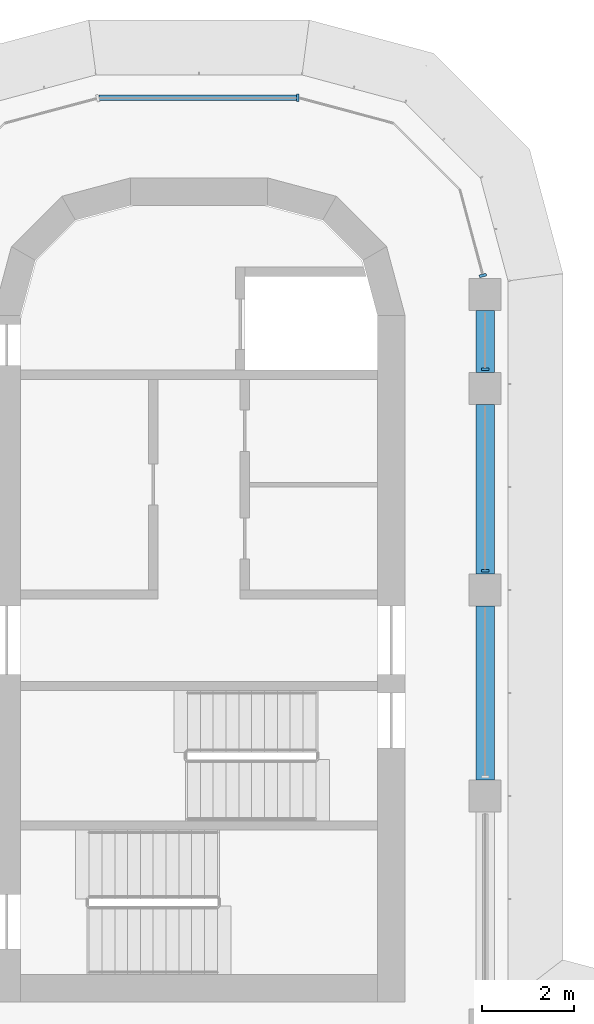
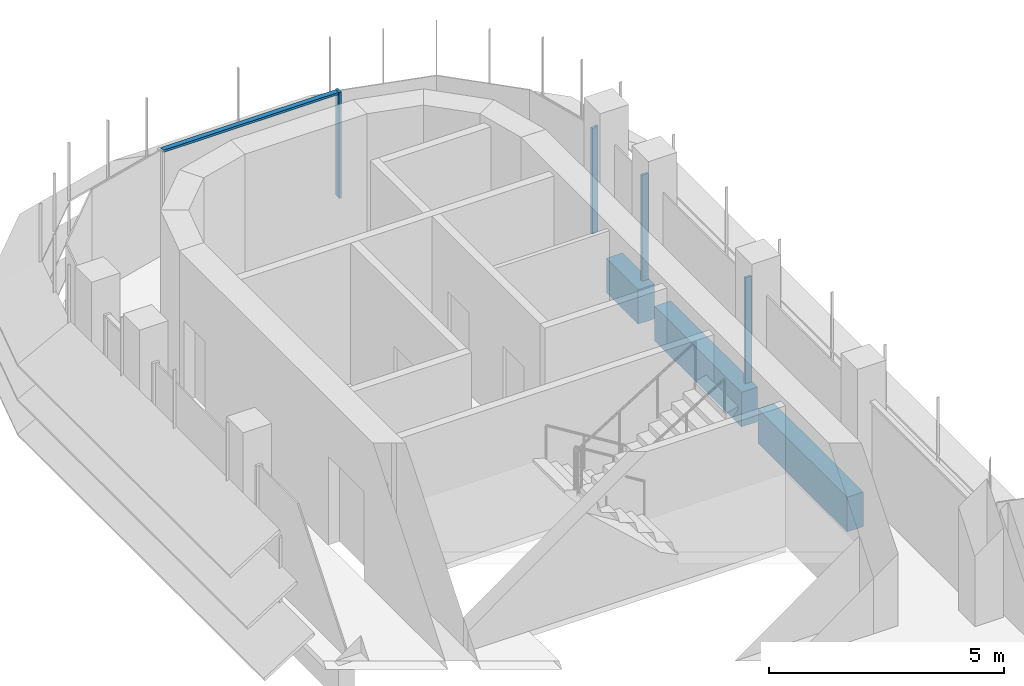
# One storey, part 10 of 18: 5 members, 3 beams, 3 elements without a shape of their own.
"""IFC4 building model written with IfcOpenShell, lengths in metres."""

import ifcopenshell
import ifcopenshell.guid

model = None  # the IFC model being written
_history = None  # IfcOwnerHistory: only IFC2X3 demands one
_inside = {}  # id of a spatial element -> (the spatial element, [elements in it])
_under = {}  # id of a project, library or spatial element -> (it, [spatial elements below it])
_declared = {}  # id of a project -> (the project, [libraries it declares])
_typed = {}  # id of a type object -> (the type object, [elements of that type])
_made_of = {}  # id of a material, layer set ... -> (it, [elements and type objects made of it])


def new_model(schema):
    """Start an empty IFC model of exactly this schema.

    Asked for "IFC4X3", IfcOpenShell would pick the latest addendum, in which some entities
    have other attributes; the version numbers below select the first issue.
    IFC2X3 requires an IfcOwnerHistory on every rooted entity: one is made here for all.
    """
    global model, _history
    if schema == "IFC4X3":
        model = ifcopenshell.file(schema_version=(4, 3, 0, 0))
    else:
        model = ifcopenshell.file(schema=schema)
    _inside.clear()
    _under.clear()
    _declared.clear()
    _typed.clear()
    _made_of.clear()
    _history = None
    if model.schema == "IFC2X3":
        org = make("IfcOrganization", Name="unknown")
        user = make(
            "IfcPersonAndOrganization",
            ThePerson=make("IfcPerson", FamilyName="unknown"),
            TheOrganization=org,
        )
        app = make(
            "IfcApplication",
            ApplicationDeveloper=org,
            Version="unknown",
            ApplicationFullName="unknown",
            ApplicationIdentifier="unknown",
        )
        _history = make(
            "IfcOwnerHistory",
            OwningUser=user,
            OwningApplication=app,
            ChangeAction="ADDED",
            CreationDate=0,
        )
    return model


def make(cls, **values):
    """One entity of the class cls with the attributes given. An attribute that is None is left unset."""
    return model.create_entity(
        cls, **{name: value for name, value in values.items() if value is not None}
    )


def rooted(cls, **values):
    """An entity with a GlobalId (a new one), such as an element, a storey or a relation."""
    return make(cls, GlobalId=ifcopenshell.guid.new(), OwnerHistory=_history, **values)


def si_unit(unit_type, name, prefix=None):
    """IfcSIUnit, for example si_unit("LENGTHUNIT", "METRE", prefix="MILLI")."""
    return make("IfcSIUnit", UnitType=unit_type, Prefix=prefix, Name=name)


def assignment(units):
    """IfcUnitAssignment: the units of a project."""
    return None if units is None else make("IfcUnitAssignment", Units=units)


def point(xyz):
    """IfcCartesianPoint."""
    return None if xyz is None else make("IfcCartesianPoint", Coordinates=xyz)


def direction(xyz):
    """IfcDirection."""
    return None if xyz is None else make("IfcDirection", DirectionRatios=xyz)


def frame(location, z_axis=None, x_axis=None):
    """IfcAxis2Placement3D, a coordinate frame: its origin and axes. An axis left out is left unset."""
    return make(
        "IfcAxis2Placement3D",
        Location=point(location),
        Axis=direction(z_axis),
        RefDirection=direction(x_axis),
    )


def frame_2d(location, x_axis=None):
    """IfcAxis2Placement2D, a coordinate frame in the plane: its origin and x axis."""
    return make(
        "IfcAxis2Placement2D", Location=point(location), RefDirection=direction(x_axis)
    )


def origin():
    """The frame at (0, 0, 0) with its axes left unset."""
    return frame((0.0, 0.0, 0.0))


def origin_2d():
    """The frame at (0, 0) in the plane with its x axis left unset."""
    return frame_2d((0.0, 0.0))


def place(relative_to, where):
    """IfcLocalPlacement: puts the frame where relative to a parent placement (None: the world)."""
    return make(
        "IfcLocalPlacement", PlacementRelTo=relative_to, RelativePlacement=where
    )


def context(
    kind, dimensions, precision=None, world=None, true_north=None, identifier=None
):
    """IfcGeometricRepresentationContext, for example the 3D "Model" context."""
    return make(
        "IfcGeometricRepresentationContext",
        ContextIdentifier=identifier,
        ContextType=kind,
        CoordinateSpaceDimension=dimensions,
        Precision=precision,
        WorldCoordinateSystem=world,
        TrueNorth=true_north,
    )


def subcontext(parent, identifier, kind, view, scale=None):
    """IfcGeometricRepresentationSubContext, for example "Body" below "Model"."""
    return make(
        "IfcGeometricRepresentationSubContext",
        ContextIdentifier=identifier,
        ContextType=kind,
        ParentContext=parent,
        TargetScale=scale,
        TargetView=view,
    )


def project(units=None, contexts=None):
    """IfcProject with its units and contexts."""
    return rooted(
        "IfcProject",
        Name="project",
        RepresentationContexts=contexts,
        UnitsInContext=assignment(units),
    )


def spatial(cls, under=None, at=None, **own):
    """A site, building, storey or space (cls), placed at a placement, below another one or the project."""
    s = rooted(cls, ObjectPlacement=at, **own)
    if under is not None:
        _under.setdefault(under.id(), (under, []))[1].append(s)
    return s


def polyline(points):
    """IfcPolyline through the points."""
    return make("IfcPolyline", Points=[point(p) for p in points])


def profile(cls, at=None, kind="AREA", **sizes):
    """A parametric profile (cls). Its sizes go by their IFC names, for example OverallWidth=200.0."""
    return make(cls, ProfileType=kind, Position=at, **sizes)


def rectangle(**sizes):
    """IfcRectangleProfileDef."""
    return profile("IfcRectangleProfileDef", **sizes)


def outline(outer, holes=None, kind="AREA"):
    """IfcArbitraryClosedProfileDef: a profile drawn as a closed curve; with holes, ...WithVoids."""
    if holes is None:
        return make("IfcArbitraryClosedProfileDef", ProfileType=kind, OuterCurve=outer)
    return make(
        "IfcArbitraryProfileDefWithVoids",
        ProfileType=kind,
        OuterCurve=outer,
        InnerCurves=holes,
    )


def extrude(swept, where, along, depth):
    """IfcExtrudedAreaSolid: the profile swept, set in the frame where, extruded along a direction by depth."""
    return make(
        "IfcExtrudedAreaSolid",
        SweptArea=swept,
        Position=where,
        ExtrudedDirection=direction(along),
        Depth=depth,
    )


def shape(context_of_items, identifier, shape_type, items):
    """IfcShapeRepresentation: the items that make up one representation, for example the "Body"."""
    return make(
        "IfcShapeRepresentation",
        ContextOfItems=context_of_items,
        RepresentationIdentifier=identifier,
        RepresentationType=shape_type,
        Items=items,
    )


def source(mapping_origin, context_of_items, identifier, shape_type, items):
    """IfcRepresentationMap: a shape defined once, which mapped items show again and again."""
    return make(
        "IfcRepresentationMap",
        MappingOrigin=mapping_origin,
        MappedRepresentation=shape(context_of_items, identifier, shape_type, items),
    )


def transform(
    local_origin,
    x_axis=None,
    y_axis=None,
    z_axis=None,
    scale=None,
    scale2=None,
    scale3=None,
    uniform=True,
):
    """IfcCartesianTransformationOperator3D, or its non-uniform kind. x_axis, y_axis, z_axis: its Axis1, 2, 3."""
    if uniform:
        return make(
            "IfcCartesianTransformationOperator3D",
            Axis1=direction(x_axis),
            Axis2=direction(y_axis),
            LocalOrigin=point(local_origin),
            Scale=scale,
            Axis3=direction(z_axis),
        )
    return make(
        "IfcCartesianTransformationOperator3DnonUniform",
        Axis1=direction(x_axis),
        Axis2=direction(y_axis),
        LocalOrigin=point(local_origin),
        Scale=scale,
        Axis3=direction(z_axis),
        Scale2=scale2,
        Scale3=scale3,
    )


def mapped(mapping_source, mapping_target):
    """IfcMappedItem: shows the shape of a source again, moved by a transform."""
    return make(
        "IfcMappedItem", MappingSource=mapping_source, MappingTarget=mapping_target
    )


def material(Name=None, Category=None):
    """IfcMaterial."""
    return make("IfcMaterial", Name=Name, Category=Category)


def material_profile(
    of_material, cross_section, Name=None, Category=None, Priority=None
):
    """IfcMaterialProfile: a cross section and its material."""
    return make(
        "IfcMaterialProfile",
        Name=Name,
        Material=of_material,
        Profile=cross_section,
        Priority=Priority,
        Category=Category,
    )


def profile_set(profiles, Name=None, composite=None):
    """IfcMaterialProfileSet."""
    return make(
        "IfcMaterialProfileSet",
        Name=Name,
        MaterialProfiles=profiles,
        CompositeProfile=composite,
    )


def made_of(thing, what):
    """Note that an element or type object is made of a material, layer set ...; save() writes the relation."""
    if what is not None:
        _made_of.setdefault(what.id(), (what, []))[1].append(thing)
    return thing


def type_object(cls, material=None, **own):
    """A type object (cls), such as IfcWallType, which elements share."""
    return made_of(rooted(cls, **own), material)


def element(
    cls,
    number,
    at=None,
    inside=None,
    cuts=None,
    type_object=None,
    material=None,
    context=None,
    identifier="Body",
    shape_type=None,
    held_by="IfcProductDefinitionShape",
    body=None,
    shapes=None,
    **own,
):
    """One element of the class cls, such as IfcWall. Its Tag is "e" and its number.

    at: its placement. inside: the storey or other place that contains it. cuts: it is an
    opening in that element (IfcRelVoidsElement). A single representation is given by context,
    identifier, shape_type and body (its items); several are given by shapes. held_by: the class
    of the entity that holds the representations. save() writes the other relations.
    """
    e = rooted(cls, Tag="e%d" % number, ObjectPlacement=at, **own)
    if body is not None:
        shapes = [shape(context, identifier, shape_type, body)]
    if shapes is not None:
        e.Representation = make(held_by, Representations=shapes)
    if inside is not None:
        _inside.setdefault(inside.id(), (inside, []))[1].append(e)
    if cuts is not None:
        rooted(
            "IfcRelVoidsElement", RelatingBuildingElement=cuts, RelatedOpeningElement=e
        )
    if type_object is not None:
        _typed.setdefault(type_object.id(), (type_object, []))[1].append(e)
    return made_of(e, material)


def aggregate(whole, parts):
    """IfcRelAggregates: a whole, such as a stair, and the parts it consists of."""
    return rooted("IfcRelAggregates", RelatingObject=whole, RelatedObjects=parts)


def save(model, path):
    """Write the relations noted so far, then the file.

    IfcRelAggregates (storeys below a building ...), IfcRelContainedInSpatialStructure (elements
    in a storey), IfcRelDefinesByType, IfcRelAssociatesMaterial and IfcRelDeclares: one each for
    every whole, place, type object, material and project.
    """
    for whole, parts in _under.values():
        aggregate(whole, parts)
    for where, things in _inside.values():
        rooted(
            "IfcRelContainedInSpatialStructure",
            RelatedElements=things,
            RelatingStructure=where,
        )
    for kind, things in _typed.values():
        rooted("IfcRelDefinesByType", RelatedObjects=things, RelatingType=kind)
    for what, things in _made_of.values():
        rooted("IfcRelAssociatesMaterial", RelatedObjects=things, RelatingMaterial=what)
    for by, libraries in _declared.values():
        rooted("IfcRelDeclares", RelatingContext=by, RelatedDefinitions=libraries)
    model.write(path)


model = new_model("IFC4")

# Units and contexts
model_context = context("Model", 3, precision=1e-05, world=origin(), true_north=direction((0.0, 1.0)))
body_context = subcontext(model_context, "Body", "Model", "MODEL_VIEW")
ifc_project = project(units=[si_unit("LENGTHUNIT", "METRE"), si_unit("AREAUNIT", "SQUARE_METRE"), si_unit("VOLUMEUNIT", "CUBIC_METRE"), si_unit("PLANEANGLEUNIT", "RADIAN"), si_unit("MASSUNIT", "GRAM", prefix="KILO")], contexts=[model_context])

# Site, building, storey
site_placement = place(None, origin())
site = spatial("IfcSite", under=ifc_project, at=site_placement, CompositionType="ELEMENT")
building_placement = place(site_placement, origin())
building = spatial("IfcBuilding", under=site, at=building_placement, Name="Zarbagh Exchange Tower", CompositionType="ELEMENT")
storey_placement = place(building_placement, frame((0.0, 0.0, 206.800048828125)))
storey = spatial("IfcBuildingStorey", under=building, at=storey_placement, Name="L50", CompositionType="ELEMENT", Elevation=206.800048828125)

# Beams
ifc_material_1 = material(Name="Concrete C50/60", Category="concrete")
ifc_material_profile = material_profile(ifc_material_1, rectangle(XDim=0.39990234375, YDim=0.89990234375, at=origin_2d()), Name="RC spandrel beam 400 x 900 C50/60")
ifc_profile_set = profile_set([ifc_material_profile], Name="Concrete C50/60")
beam_type = type_object("IfcBeamType", Name="RC spandrel beam 400 x 900 C50/60", PredefinedType="SPANDREL", material=ifc_profile_set)
beam_1_placement = place(storey_placement, frame((6.25, 26.35009765625, -0.60009765625), z_axis=(0.0, -1.0, 0.0), x_axis=(1.0, 0.0, 0.0)))
element("IfcBeam", 1, at=beam_1_placement, inside=storey, type_object=beam_type, Name="RC spandrel beam", PredefinedType="SPANDREL", context=body_context, shape_type="SweptSolid", body=[
    extrude(rectangle(XDim=0.39990234375, YDim=0.89990234375, at=origin_2d()), origin(), (0.0, 0.0, 1.0), 1.35009765625),
])
beam_2_placement = place(storey_placement, frame((6.25, 24.300048828125, -0.60009765625), z_axis=(0.0, -1.0, 0.0), x_axis=(1.0, 0.0, 0.0)))
element("IfcBeam", 2, at=beam_2_placement, inside=storey, type_object=beam_type, Name="RC spandrel beam", PredefinedType="SPANDREL", context=body_context, shape_type="SweptSolid", body=[
    extrude(rectangle(XDim=0.39990234375, YDim=0.89990234375, at=origin_2d()), origin(), (0.0, 0.0, 1.0), 3.699951171875),
])
beam_3_placement = place(storey_placement, frame((6.25, 19.89990234375, -0.60009765625), z_axis=(0.0, -1.0, 0.0), x_axis=(1.0, 0.0, 0.0)))
element("IfcBeam", 3, at=beam_3_placement, inside=storey, type_object=beam_type, Name="RC spandrel beam", PredefinedType="SPANDREL", context=body_context, shape_type="SweptSolid", body=[
    extrude(rectangle(XDim=0.39990234375, YDim=0.89990234375, at=origin_2d()), origin(), (0.0, 0.0, 1.0), 3.7998046875),
])

# Curtain wall, members
ifc_material_2 = material(Name="Anodised aluminium frame and glazing", Category="aluminium")
curtain_wall_type = type_object("IfcCurtainWallType", Name="CWB Ribbon glazing, upper zones", PredefinedType="NOTDEFINED", material=ifc_material_2)
curtain_wall_1_placement = place(storey_placement, origin())
curtain_wall_1 = element("IfcCurtainWall", 4, at=curtain_wall_1_placement, inside=storey, type_object=curtain_wall_type, Name="CWB20 curtain wall", PredefinedType="NOTDEFINED")
ifc_material_3 = material(Name="Anodised aluminium frame", Category="aluminium")
member_type_1 = type_object("IfcMemberType", Name="MUB Mullion, anodised aluminium frame", PredefinedType="MULLION", material=ifc_material_3)
shared_shape_1 = source(origin(), body_context, "Body", "SweptSolid", [
    extrude(outline(polyline([(0.0, -0.080078125), (0.06005859375, -0.080078125), (0.06005859375, 0.080078125), (0.0, 0.080078125), (0.0, -0.080078125)])), origin(), (0.0, 0.0, 1.0), 2.75),
])
placement = place(storey_placement, origin())
member_1 = element("IfcMember", 5, at=placement, type_object=member_type_1, Name="CWB20 mullion 3.1", PredefinedType="MULLION", context=body_context, shape_type="MappedRepresentation", body=[
    mapped(shared_shape_1, transform((6.25, 20.64013671875, 0.0), x_axis=(0.0, 1.0, 0.0), y_axis=(-1.0, 0.0, 0.0), z_axis=(0.0, 0.0, 1.0))),
])
member_2 = element("IfcMember", 6, at=placement, type_object=member_type_1, Name="CWB20 mullion 4.1", PredefinedType="MULLION", context=body_context, shape_type="MappedRepresentation", body=[
    mapped(shared_shape_1, transform((6.25, 25.0400390625, 0.0), x_axis=(0.0, 1.0, 0.0), y_axis=(-1.0, 0.0, 0.0), z_axis=(0.0, 0.0, 1.0))),
])
aggregate(curtain_wall_1, [member_1, member_2])

# Curtain wall, member
curtain_wall_2_placement = place(storey_placement, origin())
curtain_wall_2 = element("IfcCurtainWall", 7, at=curtain_wall_2_placement, inside=storey, type_object=curtain_wall_type, Name="CWB21 curtain wall", PredefinedType="NOTDEFINED")
member_3 = element("IfcMember", 8, at=placement, type_object=member_type_1, Name="CWB21 mullion 1.1", PredefinedType="MULLION", context=body_context, shape_type="MappedRepresentation", body=[
    mapped(shared_shape_1, transform((6.208251953125, 27.090087890625, 0.0), x_axis=(-0.258824779902, 0.965924289636, 0.0), y_axis=(-0.965924289636, -0.258824779902, 0.0), z_axis=(0.0, 0.0, 1.0))),
])
aggregate(curtain_wall_2, [member_3])

# Curtain wall, members
curtain_wall_3_placement = place(storey_placement, origin())
curtain_wall_3 = element("IfcCurtainWall", 9, at=curtain_wall_3_placement, inside=storey, type_object=curtain_wall_type, Name="CWB24 curtain wall", PredefinedType="NOTDEFINED")
member_4 = element("IfcMember", 10, at=placement, type_object=member_type_1, Name="CWB24 mullion 1.1", PredefinedType="MULLION", context=body_context, shape_type="MappedRepresentation", body=[
    mapped(shared_shape_1, transform((2.18408203125, 31.0, 0.0), x_axis=(-1.0, 0.0, 0.0), y_axis=(0.0, -1.0, 0.0), z_axis=(0.0, 0.0, 1.0))),
])
member_type_2 = type_object("IfcMemberType", Name="TRB Transom, anodised aluminium frame", PredefinedType="USERDEFINED", material=ifc_material_3)
shared_shape_2 = source(origin(), body_context, "Body", "SweptSolid", [
    extrude(outline(polyline([(-0.06005859375, -0.06005859375), (0.0, -0.06005859375), (0.0, 0.06005859375), (-0.06005859375, 0.06005859375), (-0.06005859375, -0.06005859375)])), origin(), (0.0, 0.0, 1.0), 4.308349609375),
])
member_5 = element("IfcMember", 11, at=placement, type_object=member_type_2, Name="CWB24 transom 1.1", ObjectType="TRANSOM", PredefinedType="USERDEFINED", context=body_context, shape_type="MappedRepresentation", body=[
    mapped(shared_shape_2, transform((2.124267578125, 31.0, 2.75), x_axis=(0.0, 0.0, 1.0), y_axis=(0.0, 1.0, 0.0), z_axis=(-1.0, 0.0, 0.0))),
])
aggregate(curtain_wall_3, [member_4, member_5])

save(model, "model.ifc")
